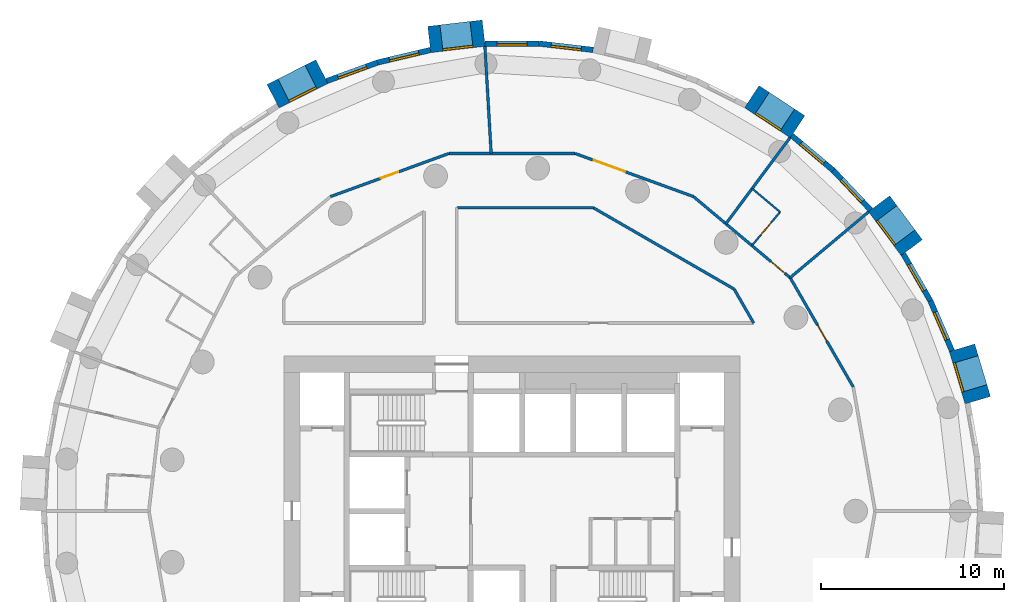
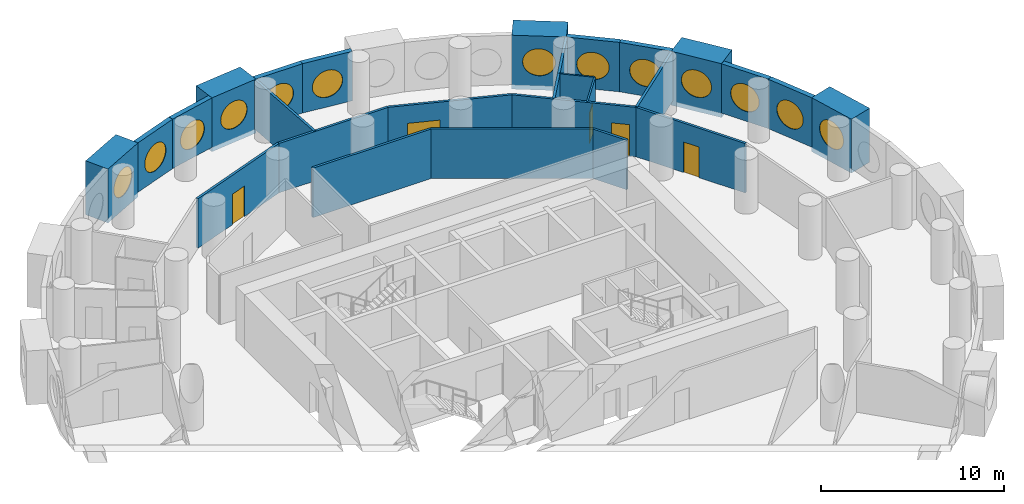
# One storey, part 7 of 9: 26 walls, 13 windows, 5 doors, 18 openings.
"""IFC4 building model written with IfcOpenShell, lengths in metres."""

from ifc_helpers import new_model, si_unit, direction, frame, frame_2d, origin, origin_2d, place, context, subcontext, project, spatial, rectangle, circle, extrude, material, layer, layer_set, type_object, element, fill, save


model = new_model("IFC4")

# Units and contexts
model_context = context("Model", 3, precision=1e-05, world=origin(), true_north=direction((0.0, 1.0)))
body_context = subcontext(model_context, "Body", "Model", "MODEL_VIEW")
ifc_project = project(units=[si_unit("LENGTHUNIT", "METRE"), si_unit("AREAUNIT", "SQUARE_METRE"), si_unit("VOLUMEUNIT", "CUBIC_METRE"), si_unit("PLANEANGLEUNIT", "RADIAN"), si_unit("MASSUNIT", "GRAM", prefix="KILO")], contexts=[model_context])

# Site, building, storey
site_placement = place(None, origin())
site = spatial("IfcSite", under=ifc_project, at=site_placement, CompositionType="ELEMENT")
building_placement = place(site_placement, origin())
building = spatial("IfcBuilding", under=site, at=building_placement, Name="Tracery Tower", CompositionType="ELEMENT")
storey_placement = place(building_placement, frame((0.0, 0.0, 183.60009765625)))
storey = spatial("IfcBuildingStorey", under=building, at=storey_placement, Name="L47", CompositionType="ELEMENT", Elevation=183.60009765625)

# Wall, opening, window
ifc_material_1 = material(Name="Precast concrete C50/60", Category="concrete")
ifc_layer_1 = layer(ifc_material_1, 1.449951171875)
ifc_layer_set_1 = layer_set([ifc_layer_1], Name="Deep-set bay unit 3000 x 3600, slab edge 300")
wall_type_1 = type_object("IfcWallType", Name="Deep-set bay unit 3000 x 3600, slab edge 300", PredefinedType="ELEMENTEDWALL", material=ifc_layer_set_1)
wall_1_placement = place(storey_placement, frame((25.509521484375, 6.0712890625, -0.300048828125), z_axis=(0.0, 0.0, 1.0), x_axis=(-0.286780420304, 0.957996341606, 0.0)))
wall_1 = element("IfcWall", 1, at=wall_1_placement, inside=storey, type_object=wall_type_1, Name="Deep-set bay unit 3 at L47", PredefinedType="ELEMENTEDWALL", context=body_context, shape_type="SweptSolid", body=[
    extrude(rectangle(XDim=3.0, YDim=1.449951171875, at=frame_2d((1.5, 0.0))), origin(), (0.0, 0.0, 1.0), 3.599853515625),
])
opening_1_placement = place(wall_1_placement, frame((1.5, 0.0, 1.85009765625)))
opening_1 = element("IfcOpeningElement", 2, at=opening_1_placement, cuts=wall_1, Name="Opening WN1", PredefinedType="OPENING", context=body_context, shape_type="SweptSolid", body=[
    extrude(circle(Radius=0.9000244140625, at=origin_2d()), frame((0.0, 0.73486328125, 0.0), z_axis=(0.0, -1.0, 0.0), x_axis=(1.0, 0.0, 0.0)), (0.0, 0.0, 1.0), 1.469970703125),
])
ifc_material_2 = material(Name="Aluminium frame with tinted double glazing", Category="aluminium")
window_type = type_object("IfcWindowType", Name="Round window 1800", PartitioningType="SINGLE_PANEL", PredefinedType="WINDOW", material=ifc_material_2)
window_1_placement = place(opening_1_placement, origin())
window_1 = element("IfcWindow", 3, at=window_1_placement, inside=storey, type_object=window_type, Name="Round window 3 at L47", OverallHeight=1.800048828125, OverallWidth=1.800048828125, PartitioningType="SINGLE_PANEL", PredefinedType="WINDOW", context=body_context, shape_type="SweptSolid", body=[
    extrude(circle(Radius=0.9000244140625, at=origin_2d()), frame((0.0, 0.69482421875, 0.0), z_axis=(0.0, -1.0, 0.0), x_axis=(1.0, 0.0, 0.0)), (0.0, 0.0, 1.0), 0.10009765625),
])
fill(opening_1, window_1)

wall_2_placement = place(storey_placement, frame((21.89453125, 14.429931640625, -0.300048828125), z_axis=(0.0, 0.0, 1.0), x_axis=(-0.597183717734, 0.802104486506, 0.0)))
wall_2 = element("IfcWall", 4, at=wall_2_placement, inside=storey, type_object=wall_type_1, Name="Deep-set bay unit 6 at L47", PredefinedType="ELEMENTEDWALL", context=body_context, shape_type="SweptSolid", body=[
    extrude(rectangle(XDim=3.0, YDim=1.449951171875, at=frame_2d((1.5, 0.0))), origin(), (0.0, 0.0, 1.0), 3.599853515625),
])
opening_2_placement = place(wall_2_placement, frame((1.5, 0.0, 1.85009765625)))
opening_2 = element("IfcOpeningElement", 5, at=opening_2_placement, cuts=wall_2, Name="Opening WN1", PredefinedType="OPENING", context=body_context, shape_type="SweptSolid", body=[
    extrude(circle(Radius=0.9000244140625, at=origin_2d()), frame((0.0, 0.73486328125, 0.0), z_axis=(0.0, -1.0, 0.0), x_axis=(1.0, 0.0, 0.0)), (0.0, 0.0, 1.0), 1.469970703125),
])
window_2_placement = place(opening_2_placement, origin())
window_2 = element("IfcWindow", 6, at=window_2_placement, inside=storey, type_object=window_type, Name="Round window 6 at L47", OverallHeight=1.800048828125, OverallWidth=1.800048828125, PartitioningType="SINGLE_PANEL", PredefinedType="WINDOW", context=body_context, shape_type="SweptSolid", body=[
    extrude(circle(Radius=0.9000244140625, at=origin_2d()), frame((0.0, 0.69482421875, 0.0), z_axis=(0.0, -1.0, 0.0), x_axis=(1.0, 0.0, 0.0)), (0.0, 0.0, 1.0), 0.10009765625),
])
fill(opening_2, window_2)

wall_3_placement = place(storey_placement, frame((15.638916015625, 21.048095703125, -0.300048828125), z_axis=(0.0, 0.0, 1.0), x_axis=(-0.835514416706, 0.549468524554, 0.0)))
wall_3 = element("IfcWall", 7, at=wall_3_placement, inside=storey, type_object=wall_type_1, Name="Deep-set bay unit 9 at L47", PredefinedType="ELEMENTEDWALL", context=body_context, shape_type="SweptSolid", body=[
    extrude(rectangle(XDim=3.0, YDim=1.449951171875, at=frame_2d((1.5, 0.0))), origin(), (0.0, 0.0, 1.0), 3.599853515625),
])
opening_3_placement = place(wall_3_placement, frame((1.5, 0.0, 1.85009765625)))
opening_3 = element("IfcOpeningElement", 8, at=opening_3_placement, cuts=wall_3, Name="Opening WN1", PredefinedType="OPENING", context=body_context, shape_type="SweptSolid", body=[
    extrude(circle(Radius=0.9000244140625, at=origin_2d()), frame((0.0, 0.73486328125, 0.0), z_axis=(0.0, -1.0, 0.0), x_axis=(1.0, 0.0, 0.0)), (0.0, 0.0, 1.0), 1.469970703125),
])
window_3_placement = place(opening_3_placement, origin())
window_3 = element("IfcWindow", 9, at=window_3_placement, inside=storey, type_object=window_type, Name="Round window 9 at L47", OverallHeight=1.800048828125, OverallWidth=1.800048828125, PartitioningType="SINGLE_PANEL", PredefinedType="WINDOW", context=body_context, shape_type="SweptSolid", body=[
    extrude(circle(Radius=0.9000244140625, at=origin_2d()), frame((0.0, 0.69482421875, 0.0), z_axis=(0.0, -1.0, 0.0), x_axis=(1.0, 0.0, 0.0)), (0.0, 0.0, 1.0), 0.10009765625),
])
fill(opening_3, window_3)

wall_4_placement = place(storey_placement, frame((-1.54931640625, 26.17626953125, -0.300048828125), z_axis=(0.0, 0.0, 1.0), x_axis=(-0.9932342274, -0.116128246006, 0.0)))
wall_4 = element("IfcWall", 10, at=wall_4_placement, inside=storey, type_object=wall_type_1, Name="Deep-set bay unit 15 at L47", PredefinedType="ELEMENTEDWALL", context=body_context, shape_type="SweptSolid", body=[
    extrude(rectangle(XDim=3.0, YDim=1.449951171875, at=frame_2d((1.5, 0.0))), origin(), (0.0, 0.0, 1.0), 3.599853515625),
])
opening_4_placement = place(wall_4_placement, frame((1.5, 0.0, 1.85009765625)))
opening_4 = element("IfcOpeningElement", 11, at=opening_4_placement, cuts=wall_4, Name="Opening WN1", PredefinedType="OPENING", context=body_context, shape_type="SweptSolid", body=[
    extrude(circle(Radius=0.9000244140625, at=origin_2d()), frame((0.0, 0.73486328125, 0.0), z_axis=(0.0, -1.0, 0.0), x_axis=(1.0, 0.0, 0.0)), (0.0, 0.0, 1.0), 1.469970703125),
])
window_4_placement = place(opening_4_placement, origin())
window_4 = element("IfcWindow", 12, at=window_4_placement, inside=storey, type_object=window_type, Name="Round window 15 at L47", OverallHeight=1.800048828125, OverallWidth=1.800048828125, PartitioningType="SINGLE_PANEL", PredefinedType="WINDOW", context=body_context, shape_type="SweptSolid", body=[
    extrude(circle(Radius=0.9000244140625, at=origin_2d()), frame((0.0, 0.69482421875, 0.0), z_axis=(0.0, -1.0, 0.0), x_axis=(1.0, 0.0, 0.0)), (0.0, 0.0, 1.0), 0.10009765625),
])
fill(opening_4, window_4)

wall_5_placement = place(storey_placement, frame((-10.40869140625, 24.067626953125, -0.300048828125), z_axis=(0.0, 0.0, 1.0), x_axis=(-0.893628249713, -0.448807922518, 0.0)))
wall_5 = element("IfcWall", 13, at=wall_5_placement, inside=storey, type_object=wall_type_1, Name="Deep-set bay unit 18 at L47", PredefinedType="ELEMENTEDWALL", context=body_context, shape_type="SweptSolid", body=[
    extrude(rectangle(XDim=3.0, YDim=1.449951171875, at=frame_2d((1.5, 0.0))), origin(), (0.0, 0.0, 1.0), 3.599853515625),
])
opening_5_placement = place(wall_5_placement, frame((1.5, 0.0, 1.85009765625)))
opening_5 = element("IfcOpeningElement", 14, at=opening_5_placement, cuts=wall_5, Name="Opening WN1", PredefinedType="OPENING", context=body_context, shape_type="SweptSolid", body=[
    extrude(circle(Radius=0.9000244140625, at=origin_2d()), frame((0.0, 0.73486328125, 0.0), z_axis=(0.0, -1.0, 0.0), x_axis=(1.0, 0.0, 0.0)), (0.0, 0.0, 1.0), 1.469970703125),
])
window_5_placement = place(opening_5_placement, origin())
window_5 = element("IfcWindow", 15, at=window_5_placement, inside=storey, type_object=window_type, Name="Round window 18 at L47", OverallHeight=1.800048828125, OverallWidth=1.800048828125, PartitioningType="SINGLE_PANEL", PredefinedType="WINDOW", context=body_context, shape_type="SweptSolid", body=[
    extrude(circle(Radius=0.9000244140625, at=origin_2d()), frame((0.0, 0.69482421875, 0.0), z_axis=(0.0, -1.0, 0.0), x_axis=(1.0, 0.0, 0.0)), (0.0, 0.0, 1.0), 0.10009765625),
])
fill(opening_5, window_5)

ifc_material_3 = material(Name="Precast concrete C50/60", Category="concrete")
ifc_layer_2 = layer(ifc_material_3, 0.300048828125)
ifc_layer_set_2 = layer_set([ifc_layer_2], Name="Facade panel 3000 x 3300")
wall_type_2 = type_object("IfcWallType", Name="Facade panel 3000 x 3300", PredefinedType="SOLIDWALL", material=ifc_layer_set_2)
wall_6_placement = place(storey_placement, frame((24.096923828125, 8.78076171875, 0.0), z_axis=(0.0, 0.0, 1.0), x_axis=(-0.396078892785, 0.918216483565, 0.0)))
wall_6 = element("IfcWall", 16, at=wall_6_placement, inside=storey, type_object=wall_type_2, Name="Facade panel 4 at L47", PredefinedType="SOLIDWALL", context=body_context, shape_type="SweptSolid", body=[
    extrude(rectangle(XDim=2.972900390625, YDim=0.300048828125, at=frame_2d((1.486328125, 0.0))), origin(), (0.0, 0.0, 1.0), 3.2998046875),
])
opening_6_placement = place(wall_6_placement, frame((1.486328125, 0.0, 1.5498046875)))
opening_6 = element("IfcOpeningElement", 17, at=opening_6_placement, cuts=wall_6, Name="Opening WN1", PredefinedType="OPENING", context=body_context, shape_type="SweptSolid", body=[
    extrude(circle(Radius=0.9000244140625, at=origin_2d()), frame((0.0, 0.159912109375, 0.0), z_axis=(0.0, -1.0, 0.0), x_axis=(1.0, 0.0, 0.0)), (0.0, 0.0, 1.0), 0.320068359375),
])
window_6_placement = place(opening_6_placement, origin())
window_6 = element("IfcWindow", 18, at=window_6_placement, inside=storey, type_object=window_type, Name="Round window 4 at L47", OverallHeight=1.800048828125, OverallWidth=1.800048828125, PartitioningType="SINGLE_PANEL", PredefinedType="WINDOW", context=body_context, shape_type="SweptSolid", body=[
    extrude(circle(Radius=0.9000244140625, at=origin_2d()), frame((0.0, 0.1201171875, 0.0), z_axis=(0.0, -1.0, 0.0), x_axis=(1.0, 0.0, 0.0)), (0.0, 0.0, 1.0), 0.10009765625),
])
fill(opening_6, window_6)

wall_7_placement = place(storey_placement, frame((22.91943359375, 11.510498046875, 0.0), z_axis=(0.0, 0.0, 1.0), x_axis=(-0.500016263033, 0.866016014115, 0.0)))
wall_7 = element("IfcWall", 19, at=wall_7_placement, inside=storey, type_object=wall_type_2, Name="Facade panel 5 at L47", PredefinedType="SOLIDWALL", context=body_context, shape_type="SweptSolid", body=[
    extrude(rectangle(XDim=2.97314453125, YDim=0.300048828125, at=frame_2d((1.486572265625, 0.0))), origin(), (0.0, 0.0, 1.0), 3.2998046875),
])
opening_7_placement = place(wall_7_placement, frame((1.486328125, 0.0, 1.5498046875)))
opening_7 = element("IfcOpeningElement", 20, at=opening_7_placement, cuts=wall_7, Name="Opening WN1", PredefinedType="OPENING", context=body_context, shape_type="SweptSolid", body=[
    extrude(circle(Radius=0.9000244140625, at=origin_2d()), frame((0.0, 0.159912109375, 0.0), z_axis=(0.0, -1.0, 0.0), x_axis=(1.0, 0.0, 0.0)), (0.0, 0.0, 1.0), 0.320068359375),
])
window_7_placement = place(opening_7_placement, origin())
window_7 = element("IfcWindow", 21, at=window_7_placement, inside=storey, type_object=window_type, Name="Round window 5 at L47", OverallHeight=1.800048828125, OverallWidth=1.800048828125, PartitioningType="SINGLE_PANEL", PredefinedType="WINDOW", context=body_context, shape_type="SweptSolid", body=[
    extrude(circle(Radius=0.9000244140625, at=origin_2d()), frame((0.0, 0.1201171875, 0.0), z_axis=(0.0, -1.0, 0.0), x_axis=(1.0, 0.0, 0.0)), (0.0, 0.0, 1.0), 0.10009765625),
])
fill(opening_7, window_7)

wall_8_placement = place(storey_placement, frame((19.640380859375, 16.492919921875, 0.0), z_axis=(0.0, 0.0, 1.0), x_axis=(-0.686235184166, 0.727379730273, 0.0)))
wall_8 = element("IfcWall", 22, at=wall_8_placement, inside=storey, type_object=wall_type_2, Name="Facade panel 7 at L47", PredefinedType="SOLIDWALL", context=body_context, shape_type="SweptSolid", body=[
    extrude(rectangle(XDim=2.972900390625, YDim=0.300048828125, at=frame_2d((1.486328125, 0.0))), origin(), (0.0, 0.0, 1.0), 3.2998046875),
])
opening_8_placement = place(wall_8_placement, frame((1.486328125, 0.0, 1.5498046875)))
opening_8 = element("IfcOpeningElement", 23, at=opening_8_placement, cuts=wall_8, Name="Opening WN1", PredefinedType="OPENING", context=body_context, shape_type="SweptSolid", body=[
    extrude(circle(Radius=0.9000244140625, at=origin_2d()), frame((0.0, 0.159912109375, 0.0), z_axis=(0.0, -1.0, 0.0), x_axis=(1.0, 0.0, 0.0)), (0.0, 0.0, 1.0), 0.320068359375),
])
window_8_placement = place(opening_8_placement, origin())
window_8 = element("IfcWindow", 24, at=window_8_placement, inside=storey, type_object=window_type, Name="Round window 7 at L47", OverallHeight=1.800048828125, OverallWidth=1.800048828125, PartitioningType="SINGLE_PANEL", PredefinedType="WINDOW", context=body_context, shape_type="SweptSolid", body=[
    extrude(circle(Radius=0.9000244140625, at=origin_2d()), frame((0.0, 0.1201171875, 0.0), z_axis=(0.0, -1.0, 0.0), x_axis=(1.0, 0.0, 0.0)), (0.0, 0.0, 1.0), 0.10009765625),
])
fill(opening_8, window_8)

wall_9_placement = place(storey_placement, frame((17.600341796875, 18.6552734375, 0.0), z_axis=(0.0, 0.0, 1.0), x_axis=(-0.766049350637, 0.642781761089, 0.0)))
wall_9 = element("IfcWall", 25, at=wall_9_placement, inside=storey, type_object=wall_type_2, Name="Facade panel 8 at L47", PredefinedType="SOLIDWALL", context=body_context, shape_type="SweptSolid", body=[
    extrude(rectangle(XDim=2.972900390625, YDim=0.300048828125, at=frame_2d((1.486328125, 0.0))), origin(), (0.0, 0.0, 1.0), 3.2998046875),
])
opening_9_placement = place(wall_9_placement, frame((1.486328125, 0.0, 1.5498046875)))
opening_9 = element("IfcOpeningElement", 26, at=opening_9_placement, cuts=wall_9, Name="Opening WN1", PredefinedType="OPENING", context=body_context, shape_type="SweptSolid", body=[
    extrude(circle(Radius=0.9000244140625, at=origin_2d()), frame((0.0, 0.159912109375, 0.0), z_axis=(0.0, -1.0, 0.0), x_axis=(1.0, 0.0, 0.0)), (0.0, 0.0, 1.0), 0.320068359375),
])
window_9_placement = place(opening_9_placement, origin())
window_9 = element("IfcWindow", 27, at=window_9_placement, inside=storey, type_object=window_type, Name="Round window 8 at L47", OverallHeight=1.800048828125, OverallWidth=1.800048828125, PartitioningType="SINGLE_PANEL", PredefinedType="WINDOW", context=body_context, shape_type="SweptSolid", body=[
    extrude(circle(Radius=0.9000244140625, at=origin_2d()), frame((0.0, 0.1201171875, 0.0), z_axis=(0.0, -1.0, 0.0), x_axis=(1.0, 0.0, 0.0)), (0.0, 0.0, 1.0), 0.10009765625),
])
fill(opening_9, window_9)

wall_10_placement = place(storey_placement, frame((4.444091796875, 25.259033203125, 0.0), z_axis=(0.0, 0.0, 1.0), x_axis=(-0.993245010522, 0.1160359818, 0.0)))
wall_10 = element("IfcWall", 28, at=wall_10_placement, inside=storey, type_object=wall_type_2, Name="Facade panel 13 at L47", PredefinedType="SOLIDWALL", context=body_context, shape_type="SweptSolid", body=[
    extrude(rectangle(XDim=2.972900390625, YDim=0.300048828125, at=frame_2d((1.486328125, 0.0))), origin(), (0.0, 0.0, 1.0), 3.2998046875),
])
opening_10_placement = place(wall_10_placement, frame((1.486328125, 0.0, 1.5498046875)))
opening_10 = element("IfcOpeningElement", 29, at=opening_10_placement, cuts=wall_10, Name="Opening WN1", PredefinedType="OPENING", context=body_context, shape_type="SweptSolid", body=[
    extrude(circle(Radius=0.9000244140625, at=origin_2d()), frame((0.0, 0.159912109375, 0.0), z_axis=(0.0, -1.0, 0.0), x_axis=(1.0, 0.0, 0.0)), (0.0, 0.0, 1.0), 0.320068359375),
])
window_10_placement = place(opening_10_placement, origin())
window_10 = element("IfcWindow", 30, at=window_10_placement, inside=storey, type_object=window_type, Name="Round window 13 at L47", OverallHeight=1.800048828125, OverallWidth=1.800048828125, PartitioningType="SINGLE_PANEL", PredefinedType="WINDOW", context=body_context, shape_type="SweptSolid", body=[
    extrude(circle(Radius=0.9000244140625, at=origin_2d()), frame((0.0, 0.1201171875, 0.0), z_axis=(0.0, -1.0, 0.0), x_axis=(1.0, 0.0, 0.0)), (0.0, 0.0, 1.0), 0.10009765625),
])
fill(opening_10, window_10)

wall_11_placement = place(storey_placement, frame((1.4912109375, 25.60400390625, 0.0), z_axis=(0.0, 0.0, 1.0), x_axis=(-1.0, 0.0, 0.0)))
wall_11 = element("IfcWall", 31, at=wall_11_placement, inside=storey, type_object=wall_type_2, Name="Facade panel 14 at L47", PredefinedType="SOLIDWALL", context=body_context, shape_type="SweptSolid", body=[
    extrude(rectangle(XDim=2.972900390625, YDim=0.300048828125, at=frame_2d((1.486328125, 0.0))), origin(), (0.0, 0.0, 1.0), 3.2998046875),
])
opening_11_placement = place(wall_11_placement, frame((1.486328125, 0.0, 1.5498046875)))
opening_11 = element("IfcOpeningElement", 32, at=opening_11_placement, cuts=wall_11, Name="Opening WN1", PredefinedType="OPENING", context=body_context, shape_type="SweptSolid", body=[
    extrude(circle(Radius=0.9000244140625, at=origin_2d()), frame((0.0, 0.159912109375, 0.0), z_axis=(0.0, -1.0, 0.0), x_axis=(1.0, 0.0, 0.0)), (0.0, 0.0, 1.0), 0.320068359375),
])
window_11_placement = place(opening_11_placement, origin())
window_11 = element("IfcWindow", 33, at=window_11_placement, inside=storey, type_object=window_type, Name="Round window 14 at L47", OverallHeight=1.800048828125, OverallWidth=1.800048828125, PartitioningType="SINGLE_PANEL", PredefinedType="WINDOW", context=body_context, shape_type="SweptSolid", body=[
    extrude(circle(Radius=0.9000244140625, at=origin_2d()), frame((0.0, 0.1201171875, 0.0), z_axis=(0.0, -1.0, 0.0), x_axis=(1.0, 0.0, 0.0)), (0.0, 0.0, 1.0), 0.10009765625),
])
fill(opening_11, window_11)

wall_12_placement = place(storey_placement, frame((-4.463134765625, 25.255615234375, 0.0), z_axis=(0.0, 0.0, 1.0), x_axis=(-0.973045378923, -0.230613725862, 0.0)))
wall_12 = element("IfcWall", 34, at=wall_12_placement, inside=storey, type_object=wall_type_2, Name="Facade panel 16 at L47", PredefinedType="SOLIDWALL", context=body_context, shape_type="SweptSolid", body=[
    extrude(rectangle(XDim=2.97265625, YDim=0.300048828125, at=frame_2d((1.486328125, 0.0))), origin(), (0.0, 0.0, 1.0), 3.2998046875),
])
opening_12_placement = place(wall_12_placement, frame((1.486328125, 0.0, 1.5498046875)))
opening_12 = element("IfcOpeningElement", 35, at=opening_12_placement, cuts=wall_12, Name="Opening WN1", PredefinedType="OPENING", context=body_context, shape_type="SweptSolid", body=[
    extrude(circle(Radius=0.9000244140625, at=origin_2d()), frame((0.0, 0.159912109375, 0.0), z_axis=(0.0, -1.0, 0.0), x_axis=(1.0, 0.0, 0.0)), (0.0, 0.0, 1.0), 0.320068359375),
])
window_12_placement = place(opening_12_placement, origin())
window_12 = element("IfcWindow", 36, at=window_12_placement, inside=storey, type_object=window_type, Name="Round window 16 at L47", OverallHeight=1.800048828125, OverallWidth=1.800048828125, PartitioningType="SINGLE_PANEL", PredefinedType="WINDOW", context=body_context, shape_type="SweptSolid", body=[
    extrude(circle(Radius=0.9000244140625, at=origin_2d()), frame((0.0, 0.1201171875, 0.0), z_axis=(0.0, -1.0, 0.0), x_axis=(1.0, 0.0, 0.0)), (0.0, 0.0, 1.0), 0.10009765625),
])
fill(opening_12, window_12)

wall_13_placement = place(storey_placement, frame((-7.355712890625, 24.570068359375, 0.0), z_axis=(0.0, 0.0, 1.0), x_axis=(-0.939690282133, -0.342026568652, 0.0)))
wall_13 = element("IfcWall", 37, at=wall_13_placement, inside=storey, type_object=wall_type_2, Name="Facade panel 17 at L47", PredefinedType="SOLIDWALL", context=body_context, shape_type="SweptSolid", body=[
    extrude(rectangle(XDim=2.972900390625, YDim=0.300048828125, at=frame_2d((1.486328125, 0.0))), origin(), (0.0, 0.0, 1.0), 3.2998046875),
])
opening_13_placement = place(wall_13_placement, frame((1.486328125, 0.0, 1.5498046875)))
opening_13 = element("IfcOpeningElement", 38, at=opening_13_placement, cuts=wall_13, Name="Opening WN1", PredefinedType="OPENING", context=body_context, shape_type="SweptSolid", body=[
    extrude(circle(Radius=0.9000244140625, at=origin_2d()), frame((0.0, 0.159912109375, 0.0), z_axis=(0.0, -1.0, 0.0), x_axis=(1.0, 0.0, 0.0)), (0.0, 0.0, 1.0), 0.320068359375),
])
window_13_placement = place(opening_13_placement, origin())
window_13 = element("IfcWindow", 39, at=window_13_placement, inside=storey, type_object=window_type, Name="Round window 17 at L47", OverallHeight=1.800048828125, OverallWidth=1.800048828125, PartitioningType="SINGLE_PANEL", PredefinedType="WINDOW", context=body_context, shape_type="SweptSolid", body=[
    extrude(circle(Radius=0.9000244140625, at=origin_2d()), frame((0.0, 0.1201171875, 0.0), z_axis=(0.0, -1.0, 0.0), x_axis=(1.0, 0.0, 0.0)), (0.0, 0.0, 1.0), 0.10009765625),
])
fill(opening_13, window_13)

# Wall, opening, door
ifc_material_4 = material(Name="Plasterboard on steel studs", Category="steel")
ifc_layer_3 = layer(ifc_material_4, 0.10009765625)
ifc_layer_set_3 = layer_set([ifc_layer_3], Name="Partition 100 wet wall")
wall_type_3 = type_object("IfcWallType", Name="Partition 100 wet wall", PredefinedType="PARTITIONING", material=ifc_layer_set_3)
wall_14_placement = place(storey_placement, frame((13.138916015625, 14.5419921875, 0.0), z_axis=(0.0, 0.0, 1.0), x_axis=(0.642731657745, 0.766091388891, 0.0)))
wall_14 = element("IfcWall", 40, at=wall_14_placement, inside=storey, type_object=wall_type_3, Name="Wet wall RB6-041", PredefinedType="PARTITIONING", context=body_context, shape_type="SweptSolid", body=[
    extrude(rectangle(XDim=2.400634765625, YDim=0.10009765625, at=frame_2d((1.2001953125, 0.0))), origin(), (0.0, 0.0, 1.0), 3.2998046875),
])
opening_14_placement = place(wall_14_placement, frame((0.75, 0.0, 0.0)))
opening_14 = element("IfcOpeningElement", 41, at=opening_14_placement, cuts=wall_14, Name="Opening RB6-06", PredefinedType="OPENING", context=body_context, shape_type="SweptSolid", body=[
    extrude(rectangle(XDim=0.89990234375, YDim=2.0400390625, at=frame_2d((0.449951171875, 1.02001953125))), frame((0.0, 0.050048828125, 0.0), z_axis=(0.0, -1.0, 0.0), x_axis=(1.0, 0.0, 0.0)), (0.0, 0.0, 1.0), 0.10009765625),
])
ifc_material_5 = material(Name="Timber door leaf", Category="wood")
door_type_1 = type_object("IfcDoorType", Name="Door en-suite 900", OperationType="NOTDEFINED", PredefinedType="DOOR", material=ifc_material_5)
door_1_placement = place(opening_14_placement, origin())
door_1 = element("IfcDoor", 42, at=door_1_placement, inside=storey, type_object=door_type_1, Name="En-suite door RB6-06", OperationType="SINGLE_SWING_LEFT", OverallHeight=2.0400390625, OverallWidth=0.89990234375, PredefinedType="DOOR", context=body_context, shape_type="SweptSolid", body=[
    extrude(rectangle(XDim=0.89990234375, YDim=2.0400390625, at=frame_2d((0.449951171875, 1.02001953125))), frame((0.0, 0.02490234375, 0.0), z_axis=(0.0, -1.0, 0.0), x_axis=(1.0, 0.0, 0.0)), (0.0, 0.0, 1.0), 0.050048828125),
])
fill(opening_14, door_1)

# Walls
wall_15_placement = place(storey_placement, frame((13.15087890625, 17.6650390625, 0.0), z_axis=(0.0, 0.0, 1.0), x_axis=(0.766224532916, -0.642572925945, 0.0)))
element("IfcWall", 43, at=wall_15_placement, inside=storey, type_object=wall_type_3, Name="Wet wall RB6-042", PredefinedType="PARTITIONING", context=body_context, shape_type="SweptSolid", body=[
    extrude(rectangle(XDim=1.998046875, YDim=0.10009765625, at=frame_2d((0.9990234375, 0.0))), origin(), (0.0, 0.0, 1.0), 3.2998046875),
])
ifc_material_6 = material(Name="Plasterboard on steel studs", Category="steel")
ifc_layer_4 = layer(ifc_material_6, 0.14990234375)
ifc_layer_set_4 = layer_set([ifc_layer_4], Name="Partition 150 acoustic unit wall")
wall_type_4 = type_object("IfcWallType", Name="Partition 150 acoustic unit wall", PredefinedType="PARTITIONING", material=ifc_layer_set_4)
wall_16_placement = place(storey_placement, frame((15.235107421875, 12.783935546875, 0.0), z_axis=(0.0, 0.0, 1.0), x_axis=(0.76609059793, 0.642732600514, 0.0)))
element("IfcWall", 44, at=wall_16_placement, inside=storey, type_object=wall_type_4, Name="Unit wall RB6-039", PredefinedType="PARTITIONING", context=body_context, shape_type="SweptSolid", body=[
    extrude(rectangle(XDim=5.60888671875, YDim=0.14990234375, at=frame_2d((2.804443359375, 0.0))), origin(), (0.0, 0.0, 1.0), 3.2998046875),
])
wall_17_placement = place(storey_placement, frame((11.7158203125, 15.7373046875, 0.0), z_axis=(0.0, 0.0, 1.0), x_axis=(0.597198494348, 0.802093484793, 0.0)))
element("IfcWall", 45, at=wall_17_placement, inside=storey, type_object=wall_type_4, Name="Unit wall RB6-043", PredefinedType="PARTITIONING", context=body_context, shape_type="SweptSolid", body=[
    extrude(rectangle(XDim=5.8779296875, YDim=0.14990234375, at=frame_2d((2.93896484375, 0.0))), origin(), (0.0, 0.0, 1.0), 3.2998046875),
])
wall_18_placement = place(storey_placement, frame((-1.48291015625, 25.4541015625, 0.0), z_axis=(0.0, 0.0, 1.0), x_axis=(0.058147412668, -0.998308007781, 0.0)))
element("IfcWall", 46, at=wall_18_placement, inside=storey, type_object=wall_type_4, Name="Unit wall RB6-044", PredefinedType="PARTITIONING", context=body_context, shape_type="SweptSolid", body=[
    extrude(rectangle(XDim=5.878173828125, YDim=0.14990234375, at=frame_2d((2.93896484375, 0.0))), origin(), (0.0, 0.0, 1.0), 3.2998046875),
])
ifc_material_7 = material(Name="Plasterboard on steel studs", Category="steel")
ifc_layer_5 = layer(ifc_material_7, 0.14990234375)
ifc_layer_set_5 = layer_set([ifc_layer_5], Name="Partition 150 corridor wall")
wall_type_5 = type_object("IfcWallType", Name="Partition 150 corridor wall", PredefinedType="PARTITIONING", material=ifc_layer_set_5)
wall_19_placement = place(storey_placement, frame((12.162109375, 12.162109375, 0.0), z_axis=(0.0, 0.0, 1.0), x_axis=(0.499961633463, -0.866047553582, 0.0)))
element("IfcWall", 47, at=wall_19_placement, inside=storey, type_object=wall_type_5, Name="Corridor wall RB6-005", PredefinedType="PARTITIONING", context=body_context, shape_type="SweptSolid", body=[
    extrude(rectangle(XDim=2.150146484375, YDim=0.14990234375, at=frame_2d((1.0751953125, 0.0))), origin(), (0.0, 0.0, 1.0), 3.2998046875),
])

# Wall, opening, door
wall_20_placement = place(storey_placement, frame((15.235107421875, 12.783935546875, 0.0), z_axis=(0.0, 0.0, 1.0), x_axis=(0.499914202267, -0.866074933462, 0.0)))
wall_20 = element("IfcWall", 48, at=wall_20_placement, inside=storey, type_object=wall_type_5, Name="Corridor wall RB6-007", PredefinedType="PARTITIONING", context=body_context, shape_type="SweptSolid", body=[
    extrude(rectangle(XDim=6.906982421875, YDim=0.14990234375, at=frame_2d((3.45361328125, 0.0))), origin(), (0.0, 0.0, 1.0), 3.2998046875),
])
opening_15_placement = place(wall_20_placement, frame((3.00390625, 0.0, 0.0)))
opening_15 = element("IfcOpeningElement", 49, at=opening_15_placement, cuts=wall_20, Name="Opening RB6-05", PredefinedType="OPENING", context=body_context, shape_type="SweptSolid", body=[
    extrude(rectangle(XDim=1.0, YDim=2.0400390625, at=frame_2d((0.5, 1.02001953125))), frame((0.0, 0.074951171875, 0.0), z_axis=(0.0, -1.0, 0.0), x_axis=(1.0, 0.0, 0.0)), (0.0, 0.0, 1.0), 0.14990234375),
])
ifc_material_8 = material(Name="Timber door leaf", Category="wood")
door_type_2 = type_object("IfcDoorType", Name="Door communal room 1000", OperationType="NOTDEFINED", PredefinedType="DOOR", material=ifc_material_8)
door_2_placement = place(opening_15_placement, origin())
door_2 = element("IfcDoor", 50, at=door_2_placement, inside=storey, type_object=door_type_2, Name="Communal room door RB6-05", OperationType="SINGLE_SWING_RIGHT", OverallHeight=2.0400390625, OverallWidth=1.0, PredefinedType="DOOR", context=body_context, shape_type="SweptSolid", body=[
    extrude(rectangle(XDim=1.0, YDim=2.0400390625, at=frame_2d((0.5, 1.02001953125))), frame((0.0, 0.02490234375, 0.0), z_axis=(0.0, -1.0, 0.0), x_axis=(1.0, 0.0, 0.0)), (0.0, 0.0, 1.0), 0.050048828125),
])
fill(opening_15, door_2)

wall_21_placement = place(storey_placement, frame((9.943359375, 17.22216796875, 0.0), z_axis=(0.0, 0.0, 1.0), x_axis=(0.766192104565, -0.642611592567, 0.0)))
wall_21 = element("IfcWall", 51, at=wall_21_placement, inside=storey, type_object=wall_type_5, Name="Corridor wall RB6-009", PredefinedType="PARTITIONING", context=body_context, shape_type="SweptSolid", body=[
    extrude(rectangle(XDim=6.906494140625, YDim=0.14990234375, at=frame_2d((3.453125, 0.0))), origin(), (0.0, 0.0, 1.0), 3.2998046875),
])
opening_16_placement = place(wall_21_placement, frame((5.53662109375, 0.0, 0.0)))
opening_16 = element("IfcOpeningElement", 52, at=opening_16_placement, cuts=wall_21, Name="Opening RB6-07", PredefinedType="OPENING", context=body_context, shape_type="SweptSolid", body=[
    extrude(rectangle(XDim=1.0, YDim=2.10009765625, at=frame_2d((0.5, 1.050048828125))), frame((0.0, 0.074951171875, 0.0), z_axis=(0.0, -1.0, 0.0), x_axis=(1.0, 0.0, 0.0)), (0.0, 0.0, 1.0), 0.14990234375),
])
ifc_material_9 = material(Name="Timber door leaf", Category="wood")
door_type_3 = type_object("IfcDoorType", Name="Door unit entrance 1000", OperationType="NOTDEFINED", PredefinedType="DOOR", material=ifc_material_9)
door_3_placement = place(opening_16_placement, origin())
door_3 = element("IfcDoor", 53, at=door_3_placement, inside=storey, type_object=door_type_3, Name="Unit entrance door RB6-07", OperationType="SINGLE_SWING_RIGHT", OverallHeight=2.10009765625, OverallWidth=1.0, PredefinedType="DOOR", context=body_context, shape_type="SweptSolid", body=[
    extrude(rectangle(XDim=1.0, YDim=2.10009765625, at=frame_2d((0.5, 1.050048828125))), frame((0.0, 0.02490234375, 0.0), z_axis=(0.0, -1.0, 0.0), x_axis=(1.0, 0.0, 0.0)), (0.0, 0.0, 1.0), 0.050048828125),
])
fill(opening_16, door_3)

# Walls
wall_22_placement = place(storey_placement, frame((4.451904296875, 16.614013671875, 0.0), z_axis=(0.0, 0.0, 1.0), x_axis=(0.866005203721, -0.500034985904, 0.0)))
element("IfcWall", 54, at=wall_22_placement, inside=storey, type_object=wall_type_5, Name="Corridor wall RB6-015", PredefinedType="PARTITIONING", context=body_context, shape_type="SweptSolid", body=[
    extrude(rectangle(XDim=8.903076171875, YDim=0.14990234375, at=frame_2d((4.45166015625, 0.0))), origin(), (0.0, 0.0, 1.0), 3.2998046875),
])
wall_23_placement = place(storey_placement, frame((-3.02099609375, 16.614013671875, 0.0), z_axis=(0.0, 0.0, 1.0), x_axis=(1.0, 0.0, 0.0)))
element("IfcWall", 55, at=wall_23_placement, inside=storey, type_object=wall_type_5, Name="Corridor wall RB6-016", PredefinedType="PARTITIONING", context=body_context, shape_type="SweptSolid", body=[
    extrude(rectangle(XDim=7.472900390625, YDim=0.14990234375, at=frame_2d((3.736328125, 0.0))), origin(), (0.0, 0.0, 1.0), 3.2998046875),
])
wall_24_placement = place(storey_placement, frame((-3.452880859375, 19.5859375, 0.0), z_axis=(0.0, 0.0, 1.0), x_axis=(1.0, 0.0, 0.0)))
element("IfcWall", 56, at=wall_24_placement, inside=storey, type_object=wall_type_5, Name="Corridor wall RB6-018", PredefinedType="PARTITIONING", context=body_context, shape_type="SweptSolid", body=[
    extrude(rectangle(XDim=6.90576171875, YDim=0.14990234375, at=frame_2d((3.452880859375, 0.0))), origin(), (0.0, 0.0, 1.0), 3.2998046875),
])

# Wall, opening, door
wall_25_placement = place(storey_placement, frame((3.452880859375, 19.5859375, 0.0), z_axis=(0.0, 0.0, 1.0), x_axis=(0.939672634566, -0.342075050021, 0.0)))
wall_25 = element("IfcWall", 57, at=wall_25_placement, inside=storey, type_object=wall_type_5, Name="Corridor wall RB6-019", PredefinedType="PARTITIONING", context=body_context, shape_type="SweptSolid", body=[
    extrude(rectangle(XDim=6.907958984375, YDim=0.14990234375, at=frame_2d((3.4541015625, 0.0))), origin(), (0.0, 0.0, 1.0), 3.2998046875),
])
opening_17_placement = place(wall_25_placement, frame((1.10400390625, 0.0, 0.0)))
opening_17 = element("IfcOpeningElement", 58, at=opening_17_placement, cuts=wall_25, Name="Opening RB6-08", PredefinedType="OPENING", context=body_context, shape_type="SweptSolid", body=[
    extrude(rectangle(XDim=1.800048828125, YDim=2.10009765625, at=frame_2d((0.89990234375, 1.050048828125))), frame((0.0, 0.074951171875, 0.0), z_axis=(0.0, -1.0, 0.0), x_axis=(1.0, 0.0, 0.0)), (0.0, 0.0, 1.0), 0.14990234375),
])
ifc_material_10 = material(Name="Timber door leaf", Category="wood")
door_type_4 = type_object("IfcDoorType", Name="Door double lounge 1800", OperationType="NOTDEFINED", PredefinedType="DOOR", material=ifc_material_10)
door_4_placement = place(opening_17_placement, origin())
door_4 = element("IfcDoor", 59, at=door_4_placement, inside=storey, type_object=door_type_4, Name="Double lounge door RB6-08", OperationType="DOUBLE_DOOR_SINGLE_SWING", OverallHeight=2.10009765625, OverallWidth=1.800048828125, PredefinedType="DOOR", context=body_context, shape_type="SweptSolid", body=[
    extrude(rectangle(XDim=1.800048828125, YDim=2.10009765625, at=frame_2d((0.89990234375, 1.050048828125))), frame((0.0, 0.02490234375, 0.0), z_axis=(0.0, -1.0, 0.0), x_axis=(1.0, 0.0, 0.0)), (0.0, 0.0, 1.0), 0.050048828125),
])
fill(opening_17, door_4)

wall_26_placement = place(storey_placement, frame((-9.944091796875, 17.222900390625, 0.0), z_axis=(0.0, 0.0, 1.0), x_axis=(0.939672634566, 0.342075050021, 0.0)))
wall_26 = element("IfcWall", 60, at=wall_26_placement, inside=storey, type_object=wall_type_5, Name="Corridor wall RB6-021", PredefinedType="PARTITIONING", context=body_context, shape_type="SweptSolid", body=[
    extrude(rectangle(XDim=6.907958984375, YDim=0.14990234375, at=frame_2d((3.4541015625, 0.0))), origin(), (0.0, 0.0, 1.0), 3.2998046875),
])
opening_18_placement = place(wall_26_placement, frame((2.9541015625, 0.0, 0.0)))
opening_18 = element("IfcOpeningElement", 61, at=opening_18_placement, cuts=wall_26, Name="Opening RB6-09", PredefinedType="OPENING", context=body_context, shape_type="SweptSolid", body=[
    extrude(rectangle(XDim=1.0, YDim=2.0400390625, at=frame_2d((0.5, 1.02001953125))), frame((0.0, 0.074951171875, 0.0), z_axis=(0.0, -1.0, 0.0), x_axis=(1.0, 0.0, 0.0)), (0.0, 0.0, 1.0), 0.14990234375),
])
door_5_placement = place(opening_18_placement, origin())
door_5 = element("IfcDoor", 62, at=door_5_placement, inside=storey, type_object=door_type_2, Name="Communal room door RB6-09", OperationType="SINGLE_SWING_RIGHT", OverallHeight=2.0400390625, OverallWidth=1.0, PredefinedType="DOOR", context=body_context, shape_type="SweptSolid", body=[
    extrude(rectangle(XDim=1.0, YDim=2.0400390625, at=frame_2d((0.5, 1.02001953125))), frame((0.0, 0.02490234375, 0.0), z_axis=(0.0, -1.0, 0.0), x_axis=(1.0, 0.0, 0.0)), (0.0, 0.0, 1.0), 0.050048828125),
])
fill(opening_18, door_5)

save(model, "model.ifc")
